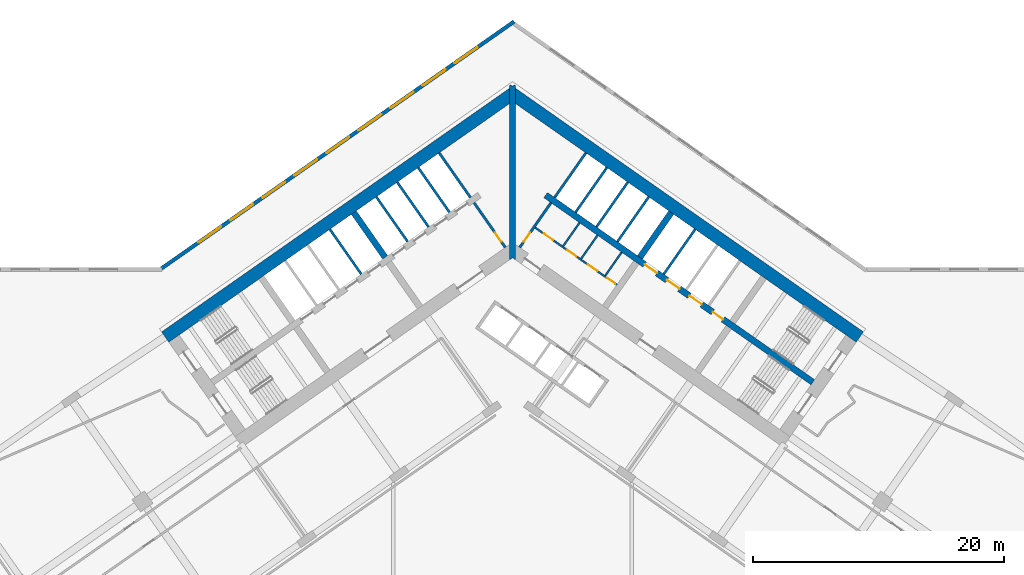
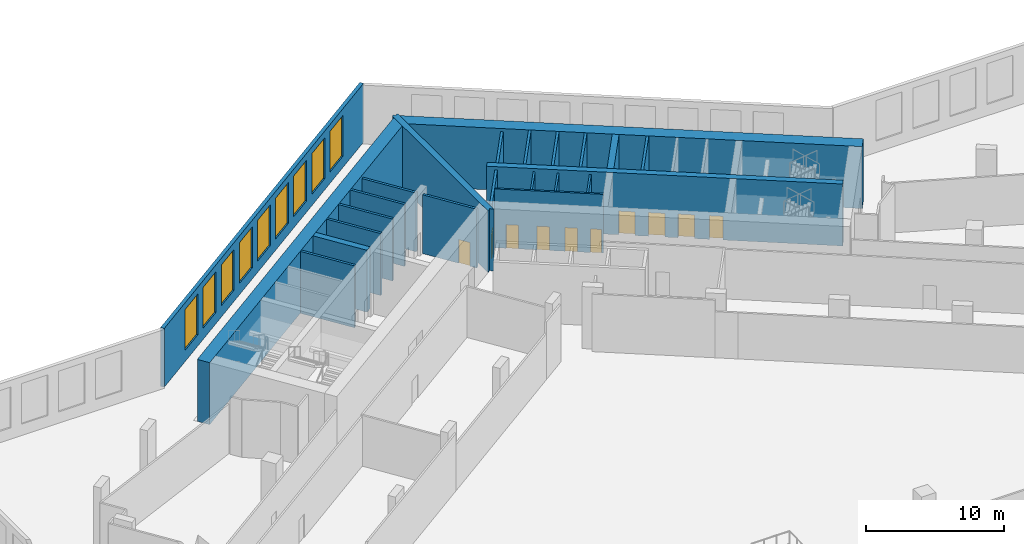
# One storey, part 9 of 15: 23 walls, 10 doors, 9 windows, 19 openings.
"""IFC4 building model written with IfcOpenShell, lengths in metres."""

from ifc_helpers import new_model, si_unit, direction, frame, frame_2d, origin, place, context, subcontext, project, spatial, polyline, rectangle, outline, extrude, material, layer, layer_set, type_object, element, fill, save


model = new_model("IFC4")

# Units and contexts
model_context = context("Model", 3, precision=1e-05, world=origin(), true_north=direction((0.0, 1.0)))
body_context = subcontext(model_context, "Body", "Model", "MODEL_VIEW")
ifc_project = project(units=[si_unit("LENGTHUNIT", "METRE"), si_unit("AREAUNIT", "SQUARE_METRE"), si_unit("VOLUMEUNIT", "CUBIC_METRE"), si_unit("PLANEANGLEUNIT", "RADIAN"), si_unit("MASSUNIT", "GRAM", prefix="KILO")], contexts=[model_context])

# Site, building, storey
site_placement = place(None, origin())
site = spatial("IfcSite", under=ifc_project, at=site_placement, CompositionType="ELEMENT")
building_placement = place(site_placement, origin())
building = spatial("IfcBuilding", under=site, at=building_placement, Name="Tel Ilan Convention Tower", CompositionType="ELEMENT")
storey_placement = place(building_placement, frame((0.0, 0.0, 43.0)))
storey = spatial("IfcBuildingStorey", under=building, at=storey_placement, Name="L06", CompositionType="ELEMENT", Elevation=43.0)

# Wall, openings, doors
ifc_material_1 = material(Name="Gypsum Plasterboard on Steel Stud", Category="steel")
ifc_layer_1 = layer(ifc_material_1, 0.14990234375)
ifc_layer_set_1 = layer_set([ifc_layer_1], Name="Core Room Partition Wall 150 mm EI 60")
wall_type_1 = type_object("IfcWallType", Name="Core Room Partition Wall 150 mm EI 60", PredefinedType="PARTITIONING", material=ifc_layer_set_1)
wall_1_placement = place(storey_placement, frame((1.802490234375, 1.179443359375, 0.0), z_axis=(0.0, 0.0, 1.0), x_axis=(0.819142461705, -0.573590121456, 0.0)))
wall_1 = element("IfcWall", 1, at=wall_1_placement, inside=storey, type_object=wall_type_1, Name="L06 core wall wc-h1", PredefinedType="PARTITIONING", context=body_context, shape_type="SweptSolid", body=[
    extrude(rectangle(XDim=7.949951171875, YDim=0.14990234375, at=frame_2d((3.97509765625, 0.0))), origin(), (0.0, 0.0, 1.0), 5.219970703125),
])
opening_1_placement = place(wall_1_placement, frame((0.85009765625, 0.0, 0.0)))
opening_1 = element("IfcOpeningElement", 2, at=opening_1_placement, cuts=wall_1, Name="Opening CD0911", PredefinedType="OPENING", context=body_context, shape_type="SweptSolid", body=[
    extrude(rectangle(XDim=0.89990234375, YDim=2.10009765625, at=frame_2d((0.449951171875, 1.050048828125))), frame((0.0, 0.0849609375, 0.0), z_axis=(0.0, -1.0, 0.0), x_axis=(1.0, 0.0, 0.0)), (0.0, 0.0, 1.0), 0.169921875),
])
opening_2_placement = place(wall_1_placement, frame((3.10009765625, 0.0, 0.0)))
opening_2 = element("IfcOpeningElement", 3, at=opening_2_placement, cuts=wall_1, Name="Opening CD0908", PredefinedType="OPENING", context=body_context, shape_type="SweptSolid", body=[
    extrude(rectangle(XDim=0.89990234375, YDim=2.10009765625, at=frame_2d((0.449951171875, 1.050048828125))), frame((0.0, 0.0849609375, 0.0), z_axis=(0.0, -1.0, 0.0), x_axis=(1.0, 0.0, 0.0)), (0.0, 0.0, 1.0), 0.169921875),
])
opening_3_placement = place(wall_1_placement, frame((5.14990234375, 0.0, 0.0)))
opening_3 = element("IfcOpeningElement", 4, at=opening_3_placement, cuts=wall_1, Name="Opening CD0910", PredefinedType="OPENING", context=body_context, shape_type="SweptSolid", body=[
    extrude(rectangle(XDim=0.89990234375, YDim=2.10009765625, at=frame_2d((0.449951171875, 1.050048828125))), frame((0.0, 0.0849609375, 0.0), z_axis=(0.0, -1.0, 0.0), x_axis=(1.0, 0.0, 0.0)), (0.0, 0.0, 1.0), 0.169921875),
])
opening_4_placement = place(wall_1_placement, frame((7.0, 0.0, 0.0)))
opening_4 = element("IfcOpeningElement", 5, at=opening_4_placement, cuts=wall_1, Name="Opening CD0909", PredefinedType="OPENING", context=body_context, shape_type="SweptSolid", body=[
    extrude(rectangle(XDim=0.800048828125, YDim=2.10009765625, at=frame_2d((0.39990234375, 1.050048828125))), frame((0.0, 0.0849609375, 0.0), z_axis=(0.0, -1.0, 0.0), x_axis=(1.0, 0.0, 0.0)), (0.0, 0.0, 1.0), 0.169921875),
])
ifc_material_2 = material(Name="Galvanised Steel Door Leaf", Category="steel")
door_type_1 = type_object("IfcDoorType", Name="Store Door 800 x 2100 FD60", OperationType="NOTDEFINED", PredefinedType="DOOR", material=ifc_material_2)
door_1_placement = place(opening_4_placement, origin())
door_1 = element("IfcDoor", 6, at=door_1_placement, inside=storey, type_object=door_type_1, Name="Cleaner's store door", OperationType="SINGLE_SWING_RIGHT", OverallHeight=2.10009765625, OverallWidth=0.800048828125, PredefinedType="DOOR", context=body_context, shape_type="SweptSolid", body=[
    extrude(rectangle(XDim=0.800048828125, YDim=2.10009765625, at=frame_2d((0.39990234375, 1.050048828125))), frame((0.0, 0.02490234375, 0.0), z_axis=(0.0, -1.0, 0.0), x_axis=(1.0, 0.0, 0.0)), (0.0, 0.0, 1.0), 0.050048828125),
])
fill(opening_4, door_1)
ifc_material_3 = material(Name="Laminated Timber Door Leaf", Category="wood")
door_type_2 = type_object("IfcDoorType", Name="Toilet Door 900 x 2100 FD30S", OperationType="NOTDEFINED", PredefinedType="DOOR", material=ifc_material_3)
door_2_placement = place(opening_1_placement, origin())
door_2 = element("IfcDoor", 7, at=door_2_placement, inside=storey, type_object=door_type_2, Name="Women's WC door", OperationType="SINGLE_SWING_RIGHT", OverallHeight=2.10009765625, OverallWidth=0.89990234375, PredefinedType="DOOR", context=body_context, shape_type="SweptSolid", body=[
    extrude(rectangle(XDim=0.89990234375, YDim=2.10009765625, at=frame_2d((0.449951171875, 1.050048828125))), frame((0.0, 0.02490234375, 0.0), z_axis=(0.0, -1.0, 0.0), x_axis=(1.0, 0.0, 0.0)), (0.0, 0.0, 1.0), 0.050048828125),
])
fill(opening_1, door_2)
door_3_placement = place(opening_2_placement, origin())
door_3 = element("IfcDoor", 8, at=door_3_placement, inside=storey, type_object=door_type_2, Name="Accessible WC door", OperationType="SINGLE_SWING_RIGHT", OverallHeight=2.10009765625, OverallWidth=0.89990234375, PredefinedType="DOOR", context=body_context, shape_type="SweptSolid", body=[
    extrude(rectangle(XDim=0.89990234375, YDim=2.10009765625, at=frame_2d((0.449951171875, 1.050048828125))), frame((0.0, 0.02490234375, 0.0), z_axis=(0.0, -1.0, 0.0), x_axis=(1.0, 0.0, 0.0)), (0.0, 0.0, 1.0), 0.050048828125),
])
fill(opening_2, door_3)
door_4_placement = place(opening_3_placement, origin())
door_4 = element("IfcDoor", 9, at=door_4_placement, inside=storey, type_object=door_type_2, Name="Men's WC door", OperationType="SINGLE_SWING_RIGHT", OverallHeight=2.10009765625, OverallWidth=0.89990234375, PredefinedType="DOOR", context=body_context, shape_type="SweptSolid", body=[
    extrude(rectangle(XDim=0.89990234375, YDim=2.10009765625, at=frame_2d((0.449951171875, 1.050048828125))), frame((0.0, 0.02490234375, 0.0), z_axis=(0.0, -1.0, 0.0), x_axis=(1.0, 0.0, 0.0)), (0.0, 0.0, 1.0), 0.050048828125),
])
fill(opening_3, door_4)

# Walls
for number, where, z_axis, x_axis, name in (
    (10, (4.03662109375, -0.29345703125, 0.0), (0.0, 0.0, 1.0), (0.573599181114, 0.819136117764, 0.0), "L06 core wall wc-v0"),
    (11, (5.47021484375, -1.297119140625, 0.0), (0.0, 0.0, 1.0), (0.573599181114, 0.819136117764, 0.0), "L06 core wall wc-v1"),
    (12, (7.395263671875, -2.64501953125, 0.0), (0.0, 0.0, 1.0), (0.573599181114, 0.819136117764, 0.0), "L06 core wall wc-v2"),
):
    element("IfcWall", number, at=place(storey_placement, frame(where, z_axis=z_axis, x_axis=x_axis)), inside=storey, type_object=wall_type_1, Name=name, PredefinedType="PARTITIONING", context=body_context, shape_type="SweptSolid", body=[
        extrude(rectangle(XDim=2.27490234375, YDim=0.14990234375, at=frame_2d((1.137451171875, 0.0))), origin(), (0.0, 0.0, 1.0), 5.219970703125),
    ])

# Wall, opening, door
ifc_material_4 = material(Name="Concrete C30/37", Category="concrete")
ifc_layer_2 = layer(ifc_material_4, 0.199951171875)
ifc_layer_set_2 = layer_set([ifc_layer_2], Name="Core Service Room Wall 200 mm C30/37")
wall_type_2 = type_object("IfcWallType", Name="Core Service Room Wall 200 mm C30/37", PredefinedType="SOLIDWALL", material=ifc_layer_set_2)
wall_2_placement = place(storey_placement, frame((-0.573486328125, -0.401611328125, 0.0), z_axis=(0.0, 0.0, 1.0), x_axis=(-0.57356780395, 0.819158088694, 0.0)))
wall_2 = element("IfcWall", 13, at=wall_2_placement, inside=storey, type_object=wall_type_2, Name="L06 core wall apex-W", PredefinedType="SOLIDWALL", context=body_context, shape_type="SweptSolid", body=[
    extrude(rectangle(XDim=4.35009765625, YDim=0.199951171875, at=frame_2d((2.175048828125, 0.0))), origin(), (0.0, 0.0, 1.0), 5.219970703125),
])
opening_5_placement = place(wall_2_placement, frame((0.550048828125, 0.0, 0.0)))
opening_5 = element("IfcOpeningElement", 14, at=opening_5_placement, cuts=wall_2, Name="Opening CD0902", PredefinedType="OPENING", context=body_context, shape_type="SweptSolid", body=[
    extrude(rectangle(XDim=0.89990234375, YDim=2.10009765625, at=frame_2d((0.449951171875, 1.050048828125))), frame((0.0, 0.10986328125, 0.0), z_axis=(0.0, -1.0, 0.0), x_axis=(1.0, 0.0, 0.0)), (0.0, 0.0, 1.0), 0.219970703125),
])
ifc_material_5 = material(Name="Galvanised Steel Door Leaf", Category="steel")
door_type_3 = type_object("IfcDoorType", Name="Service Room Door 900 x 2100 FD60", OperationType="NOTDEFINED", PredefinedType="DOOR", material=ifc_material_5)
door_5_placement = place(opening_5_placement, origin())
door_5 = element("IfcDoor", 15, at=door_5_placement, inside=storey, type_object=door_type_3, Name="Telecom Room door", OperationType="SINGLE_SWING_RIGHT", OverallHeight=2.10009765625, OverallWidth=0.89990234375, PredefinedType="DOOR", context=body_context, shape_type="SweptSolid", body=[
    extrude(rectangle(XDim=0.89990234375, YDim=2.10009765625, at=frame_2d((0.449951171875, 1.050048828125))), frame((0.0, 0.02490234375, 0.0), z_axis=(0.0, -1.0, 0.0), x_axis=(1.0, 0.0, 0.0)), (0.0, 0.0, 1.0), 0.050048828125),
])
fill(opening_5, door_5)

# Wall
wall_3_placement = place(storey_placement, frame((-3.355224609375, 3.5712890625, 0.0), z_axis=(0.0, 0.0, 1.0), x_axis=(-0.57356780395, 0.819158088694, 0.0)))
element("IfcWall", 16, at=wall_3_placement, inside=storey, type_object=wall_type_2, Name="L06 core wall apex-W-b", PredefinedType="SOLIDWALL", context=body_context, shape_type="SweptSolid", body=[
    extrude(rectangle(XDim=4.35009765625, YDim=0.199951171875, at=frame_2d((2.175048828125, 0.0))), origin(), (0.0, 0.0, 1.0), 5.219970703125),
])

# Wall, opening, door
wall_4_placement = place(storey_placement, frame((0.573486328125, -0.401611328125, 0.0), z_axis=(0.0, 0.0, 1.0), x_axis=(0.57356780395, 0.819158088694, 0.0)))
wall_4 = element("IfcWall", 17, at=wall_4_placement, inside=storey, type_object=wall_type_2, Name="L06 core wall apex-E", PredefinedType="SOLIDWALL", context=body_context, shape_type="SweptSolid", body=[
    extrude(rectangle(XDim=4.35009765625, YDim=0.199951171875, at=frame_2d((2.175048828125, 0.0))), origin(), (0.0, 0.0, 1.0), 5.219970703125),
])
opening_6_placement = place(wall_4_placement, frame((0.550048828125, 0.0, 0.0)))
opening_6 = element("IfcOpeningElement", 18, at=opening_6_placement, cuts=wall_4, Name="Opening CD0901", PredefinedType="OPENING", context=body_context, shape_type="SweptSolid", body=[
    extrude(rectangle(XDim=0.89990234375, YDim=2.10009765625, at=frame_2d((0.449951171875, 1.050048828125))), frame((0.0, 0.10986328125, 0.0), z_axis=(0.0, -1.0, 0.0), x_axis=(1.0, 0.0, 0.0)), (0.0, 0.0, 1.0), 0.219970703125),
])
door_6_placement = place(opening_6_placement, origin())
door_6 = element("IfcDoor", 19, at=door_6_placement, inside=storey, type_object=door_type_3, Name="Data Room door", OperationType="SINGLE_SWING_RIGHT", OverallHeight=2.10009765625, OverallWidth=0.89990234375, PredefinedType="DOOR", context=body_context, shape_type="SweptSolid", body=[
    extrude(rectangle(XDim=0.89990234375, YDim=2.10009765625, at=frame_2d((0.449951171875, 1.050048828125))), frame((0.0, 0.02490234375, 0.0), z_axis=(0.0, -1.0, 0.0), x_axis=(1.0, 0.0, 0.0)), (0.0, 0.0, 1.0), 0.050048828125),
])
fill(opening_6, door_6)

# Walls
wall_5_placement = place(storey_placement, frame((3.355224609375, 3.5712890625, 0.0), z_axis=(0.0, 0.0, 1.0), x_axis=(0.57356780395, 0.819158088694, 0.0)))
element("IfcWall", 20, at=wall_5_placement, inside=storey, type_object=wall_type_2, Name="L06 core wall apex-E-b", PredefinedType="SOLIDWALL", context=body_context, shape_type="SweptSolid", body=[
    extrude(rectangle(XDim=4.35009765625, YDim=0.199951171875, at=frame_2d((2.175048828125, 0.0))), origin(), (0.0, 0.0, 1.0), 5.219970703125),
])
ifc_material_6 = material(Name="Concrete C60/75", Category="concrete")
ifc_layer_3 = layer(ifc_material_6, 1.0)
ifc_layer_set_3 = layer_set([ifc_layer_3], Name="Core Shear Wall 1000 mm C60/75")
wall_type_3 = type_object("IfcWallType", Name="Core Shear Wall 1000 mm C60/75", PredefinedType="SHEAR", material=ifc_layer_set_3)
wall_6_placement = place(storey_placement, frame((0.036865234375, 11.8671875, 0.0), z_axis=(0.0, 0.0, 1.0), x_axis=(-0.819155306259, -0.573571777746, 0.0)))
element("IfcWall", 21, at=wall_6_placement, inside=storey, type_object=wall_type_3, Name="L06 core wall W-back", PredefinedType="SHEAR", context=body_context, shape_type="SweptSolid", body=[
    extrude(outline(polyline([(33.8369140625, 0.5), (0.7001953125, 0.499755859375), (0.0, -0.5), (33.8369140625, -0.5), (33.8369140625, 0.5)])), origin(), (0.0, 0.0, 1.0), 5.5),
])
wall_7_placement = place(storey_placement, frame((-0.036865234375, 11.8671875, 0.0), z_axis=(0.0, 0.0, 1.0), x_axis=(0.819155306259, -0.573571777746, 0.0)))
element("IfcWall", 22, at=wall_7_placement, inside=storey, type_object=wall_type_3, Name="L06 core wall E-back", PredefinedType="SHEAR", context=body_context, shape_type="SweptSolid", body=[
    extrude(outline(polyline([(33.8369140625, 0.5), (0.0, 0.5), (0.7001953125, -0.499755859375), (33.8369140625, -0.5), (33.8369140625, 0.5)])), origin(), (0.0, 0.0, 1.0), 5.5),
])
ifc_material_7 = material(Name="Concrete C60/75", Category="concrete")
ifc_layer_4 = layer(ifc_material_7, 0.5)
ifc_layer_set_4 = layer_set([ifc_layer_4], Name="Core Shear Wall 500 mm C60/75")
wall_type_4 = type_object("IfcWallType", Name="Core Shear Wall 500 mm C60/75", PredefinedType="SHEAR", material=ifc_layer_set_4)
for number, where, z_axis, x_axis, name in (
    (23, (-10.154296875, -1.189208984375, 0.0), (0.0, 0.0, 1.0), (-0.573594173421, 0.819139624372, 0.0), "L06 core wall W-cross1-2"),
    (24, (10.154296875, -1.189208984375, 0.0), (0.0, 0.0, 1.0), (0.573594173421, 0.819139624372, 0.0), "L06 core wall E-cross1-2"),
):
    element("IfcWall", number, at=place(storey_placement, frame(where, z_axis=z_axis, x_axis=x_axis)), inside=storey, type_object=wall_type_4, Name=name, PredefinedType="SHEAR", context=body_context, shape_type="SweptSolid", body=[
        extrude(outline(polyline([(4.349853515625, -0.25), (4.349853515625, 0.25), (-0.000244140625, 0.25), (-0.000244140625, -0.25), (4.349853515625, -0.25)])), origin(), (0.0, 0.0, 1.0), 5.5),
    ])

# Wall, openings, doors
wall_8_placement = place(storey_placement, frame((2.638427734375, 3.76806640625, 0.0), z_axis=(0.0, 0.0, 1.0), x_axis=(0.819148977158, -0.573580816643, 0.0)))
wall_8 = element("IfcWall", 25, at=wall_8_placement, inside=storey, type_object=wall_type_4, Name="L06 core wall E-spine", PredefinedType="SHEAR", context=body_context, shape_type="SweptSolid", body=[
    extrude(outline(polyline([(0.0, 0.25), (0.0, -0.25), (26.0, -0.249755859375), (26.0, 0.250244140625), (0.0, 0.25)])), origin(), (0.0, 0.0, 1.0), 5.5),
])
opening_7_placement = place(wall_8_placement, frame((9.637451171875, 0.0, 0.0)))
opening_7 = element("IfcOpeningElement", 26, at=opening_7_placement, cuts=wall_8, Name="Opening LD0901", PredefinedType="OPENING", context=body_context, shape_type="SweptSolid", body=[
    extrude(rectangle(XDim=1.199951171875, YDim=2.10009765625, at=frame_2d((0.60009765625, 1.050048828125))), frame((0.0, 0.260009765625, 0.0), z_axis=(0.0, -1.0, 0.0), x_axis=(1.0, 0.0, 0.0)), (0.0, 0.0, 1.0), 0.52001953125),
])
opening_8_placement = place(wall_8_placement, frame((11.8125, 0.0, 0.0)))
opening_8 = element("IfcOpeningElement", 27, at=opening_8_placement, cuts=wall_8, Name="Opening LD0902", PredefinedType="OPENING", context=body_context, shape_type="SweptSolid", body=[
    extrude(rectangle(XDim=1.199951171875, YDim=2.10009765625, at=frame_2d((0.60009765625, 1.050048828125))), frame((0.0, 0.260009765625, 0.0), z_axis=(0.0, -1.0, 0.0), x_axis=(1.0, 0.0, 0.0)), (0.0, 0.0, 1.0), 0.52001953125),
])
opening_9_placement = place(wall_8_placement, frame((13.987548828125, 0.0, 0.0)))
opening_9 = element("IfcOpeningElement", 28, at=opening_9_placement, cuts=wall_8, Name="Opening LD0903", PredefinedType="OPENING", context=body_context, shape_type="SweptSolid", body=[
    extrude(rectangle(XDim=1.199951171875, YDim=2.10009765625, at=frame_2d((0.60009765625, 1.050048828125))), frame((0.0, 0.260009765625, 0.0), z_axis=(0.0, -1.0, 0.0), x_axis=(1.0, 0.0, 0.0)), (0.0, 0.0, 1.0), 0.52001953125),
])
opening_10_placement = place(wall_8_placement, frame((16.262451171875, 0.0, 0.0)))
opening_10 = element("IfcOpeningElement", 29, at=opening_10_placement, cuts=wall_8, Name="Opening CD0907", PredefinedType="OPENING", context=body_context, shape_type="SweptSolid", body=[
    extrude(rectangle(XDim=1.0, YDim=2.10009765625, at=frame_2d((0.5, 1.050048828125))), frame((0.0, 0.260009765625, 0.0), z_axis=(0.0, -1.0, 0.0), x_axis=(1.0, 0.0, 0.0)), (0.0, 0.0, 1.0), 0.52001953125),
])
ifc_material_8 = material(Name="Stainless Steel Sliding Door Leaf", Category="steel")
door_type_4 = type_object("IfcDoorType", Name="Lift Landing Door 1200 x 2100 FD120", OperationType="NOTDEFINED", PredefinedType="DOOR", material=ifc_material_8)
door_7_placement = place(opening_7_placement, origin())
door_7 = element("IfcDoor", 30, at=door_7_placement, inside=storey, type_object=door_type_4, Name="Lift FL1 landing door", OperationType="SLIDING_TO_LEFT", OverallHeight=2.10009765625, OverallWidth=1.199951171875, PredefinedType="DOOR", context=body_context, shape_type="SweptSolid", body=[
    extrude(rectangle(XDim=1.199951171875, YDim=2.10009765625, at=frame_2d((0.60009765625, 1.050048828125))), frame((0.0, 0.02490234375, 0.0), z_axis=(0.0, -1.0, 0.0), x_axis=(1.0, 0.0, 0.0)), (0.0, 0.0, 1.0), 0.050048828125),
])
fill(opening_7, door_7)
door_8_placement = place(opening_8_placement, origin())
door_8 = element("IfcDoor", 31, at=door_8_placement, inside=storey, type_object=door_type_4, Name="Lift FL2 landing door", OperationType="SLIDING_TO_RIGHT", OverallHeight=2.10009765625, OverallWidth=1.199951171875, PredefinedType="DOOR", context=body_context, shape_type="SweptSolid", body=[
    extrude(rectangle(XDim=1.199951171875, YDim=2.10009765625, at=frame_2d((0.60009765625, 1.050048828125))), frame((0.0, 0.02490234375, 0.0), z_axis=(0.0, -1.0, 0.0), x_axis=(1.0, 0.0, 0.0)), (0.0, 0.0, 1.0), 0.050048828125),
])
fill(opening_8, door_8)
door_9_placement = place(opening_9_placement, origin())
door_9 = element("IfcDoor", 32, at=door_9_placement, inside=storey, type_object=door_type_4, Name="Lift FL3 landing door", OperationType="SLIDING_TO_LEFT", OverallHeight=2.10009765625, OverallWidth=1.199951171875, PredefinedType="DOOR", context=body_context, shape_type="SweptSolid", body=[
    extrude(rectangle(XDim=1.199951171875, YDim=2.10009765625, at=frame_2d((0.60009765625, 1.050048828125))), frame((0.0, 0.02490234375, 0.0), z_axis=(0.0, -1.0, 0.0), x_axis=(1.0, 0.0, 0.0)), (0.0, 0.0, 1.0), 0.050048828125),
])
fill(opening_9, door_9)
ifc_material_9 = material(Name="Galvanised Steel Door Leaf", Category="steel")
door_type_5 = type_object("IfcDoorType", Name="Service Room Door 1000 x 2100 FD60", OperationType="NOTDEFINED", PredefinedType="DOOR", material=ifc_material_9)
door_10_placement = place(opening_10_placement, origin())
door_10 = element("IfcDoor", 33, at=door_10_placement, inside=storey, type_object=door_type_5, Name="Plant Room door", OperationType="SINGLE_SWING_RIGHT", OverallHeight=2.10009765625, OverallWidth=1.0, PredefinedType="DOOR", context=body_context, shape_type="SweptSolid", body=[
    extrude(rectangle(XDim=1.0, YDim=2.10009765625, at=frame_2d((0.5, 1.050048828125))), frame((0.0, 0.02490234375, 0.0), z_axis=(0.0, -1.0, 0.0), x_axis=(1.0, 0.0, 0.0)), (0.0, 0.0, 1.0), 0.050048828125),
])
fill(opening_10, door_10)

# Walls
wall_9_placement = place(storey_placement, frame((0.0, -1.395751953125, 0.0), z_axis=(0.0, 0.0, 1.0), x_axis=(0.0, 1.0, 0.0)))
element("IfcWall", 34, at=wall_9_placement, inside=storey, type_object=wall_type_4, Name="L06 core wall K-central", PredefinedType="SHEAR", context=body_context, shape_type="SweptSolid", body=[
    extrude(outline(polyline([(0.0, -0.25), (0.175048828125, -0.25), (1.220703125, -0.25), (12.451904296875, -0.25), (13.84765625, -0.25), (13.85693359375, -0.25), (13.96826171875, -0.172119140625), (13.84765625, 0.0), (13.96826171875, 0.172119140625), (13.85693359375, 0.25), (13.84765625, 0.25), (12.451904296875, 0.25), (1.220703125, 0.25), (0.175048828125, 0.25), (0.0, 0.25), (0.175048828125, 0.0), (0.0, -0.25)])), origin(), (0.0, 0.0, 1.0), 5.5),
])
ifc_material_10 = material(Name="Concrete C30/37", Category="concrete")
ifc_layer_5 = layer(ifc_material_10, 0.199951171875)
ifc_layer_set_5 = layer_set([ifc_layer_5], Name="Lift Shaft Wall 200 mm C30/37")
wall_type_5 = type_object("IfcWallType", Name="Lift Shaft Wall 200 mm C30/37", PredefinedType="SOLIDWALL", material=ifc_layer_set_5)
wall_10_placement = place(storey_placement, frame((-5.0244140625, 2.402587890625, 0.0), z_axis=(0.0, 0.0, 1.0), x_axis=(-0.573530143085, 0.819184457233, 0.0)))
element("IfcWall", 35, at=wall_10_placement, inside=storey, type_object=wall_type_5, Name="L06 core wall bank-W1-p0", PredefinedType="SOLIDWALL", context=body_context, shape_type="SweptSolid", body=[
    extrude(rectangle(XDim=4.35009765625, YDim=0.199951171875, at=frame_2d((2.175048828125, 0.0))), origin(), (0.0, 0.0, 1.0), 5.5),
])
for number, where, z_axis, x_axis, name in (
    (36, (-6.693359375, 1.234130859375, 0.0), (0.0, 0.0, 1.0), (-0.573594173421, 0.819139624372, 0.0), "L06 core wall bank-W1-p1"),
    (37, (-8.3623046875, 0.0654296875, 0.0), (0.0, 0.0, 1.0), (-0.573594173421, 0.819139624372, 0.0), "L06 core wall bank-W1-p2"),
    (38, (-12.05859375, -2.52294921875, 0.0), (0.0, 0.0, 1.0), (-0.573594173421, 0.819139624372, 0.0), "L06 core wall bank-W2-p0"),
):
    element("IfcWall", number, at=place(storey_placement, frame(where, z_axis=z_axis, x_axis=x_axis)), inside=storey, type_object=wall_type_5, Name=name, PredefinedType="SOLIDWALL", context=body_context, shape_type="SweptSolid", body=[
        extrude(rectangle(XDim=4.349853515625, YDim=0.199951171875, at=frame_2d((2.1748046875, 0.0))), origin(), (0.0, 0.0, 1.0), 5.5),
    ])
wall_11_placement = place(storey_placement, frame((5.0244140625, 2.402587890625, 0.0), z_axis=(0.0, 0.0, 1.0), x_axis=(0.573530143085, 0.819184457233, 0.0)))
element("IfcWall", 39, at=wall_11_placement, inside=storey, type_object=wall_type_5, Name="L06 core wall bank-E1-p0", PredefinedType="SOLIDWALL", context=body_context, shape_type="SweptSolid", body=[
    extrude(rectangle(XDim=4.35009765625, YDim=0.199951171875, at=frame_2d((2.175048828125, 0.0))), origin(), (0.0, 0.0, 1.0), 5.5),
])
for number, where, z_axis, x_axis, name in (
    (40, (6.693359375, 1.234130859375, 0.0), (0.0, 0.0, 1.0), (0.573594173421, 0.819139624372, 0.0), "L06 core wall bank-E1-p1"),
    (41, (8.3623046875, 0.0654296875, 0.0), (0.0, 0.0, 1.0), (0.573594173421, 0.819139624372, 0.0), "L06 core wall bank-E1-p2"),
    (42, (12.05859375, -2.52294921875, 0.0), (0.0, 0.0, 1.0), (0.573594173421, 0.819139624372, 0.0), "L06 core wall bank-E2-p0"),
):
    element("IfcWall", number, at=place(storey_placement, frame(where, z_axis=z_axis, x_axis=x_axis)), inside=storey, type_object=wall_type_5, Name=name, PredefinedType="SOLIDWALL", context=body_context, shape_type="SweptSolid", body=[
        extrude(rectangle(XDim=4.349853515625, YDim=0.199951171875, at=frame_2d((2.1748046875, 0.0))), origin(), (0.0, 0.0, 1.0), 5.5),
    ])

# Wall, openings, windows
ifc_material_11 = material(Name="Bronze aluminium cladding panel on insulated steel frame", Category="steel")
ifc_layer_6 = layer(ifc_material_11, 0.300048828125)
ifc_layer_set_6 = layer_set([ifc_layer_6], Name="PODIUM CLADDING WALL 300")
wall_type_6 = type_object("IfcWallType", Name="PODIUM CLADDING WALL 300", PredefinedType="SOLIDWALL", material=ifc_layer_set_6)
wall_12_placement = place(storey_placement, frame((-27.966064453125, -2.06396484375, 0.0), z_axis=(0.0, 0.0, 1.0), x_axis=(0.819149627982, 0.57357988718, 0.0)))
wall_12 = element("IfcWall", 43, at=wall_12_placement, inside=storey, type_object=wall_type_6, Name="Podium cladding wall", PredefinedType="SOLIDWALL", context=body_context, shape_type="SweptSolid", body=[
    extrude(rectangle(XDim=34.290283203125, YDim=0.300048828125, at=frame_2d((17.14501953125, 0.0))), origin(), (0.0, 0.0, 1.0), 5.219970703125),
])
opening_11_placement = place(wall_12_placement, frame((3.5673828125, 0.0, 1.0)))
opening_11 = element("IfcOpeningElement", 44, at=opening_11_placement, cuts=wall_12, Name="Opening W-09.036", PredefinedType="OPENING", context=body_context, shape_type="SweptSolid", body=[
    extrude(rectangle(XDim=2.21728515625, YDim=3.6201171875, at=frame_2d((1.108642578125, 1.81005859375))), frame((0.0, 0.159912109375, 0.0), z_axis=(0.0, -1.0, 0.0), x_axis=(1.0, 0.0, 0.0)), (0.0, 0.0, 1.0), 0.320068359375),
])
opening_12_placement = place(wall_12_placement, frame((6.6845703125, 0.0, 1.0)))
opening_12 = element("IfcOpeningElement", 45, at=opening_12_placement, cuts=wall_12, Name="Opening W-09.037", PredefinedType="OPENING", context=body_context, shape_type="SweptSolid", body=[
    extrude(rectangle(XDim=2.21728515625, YDim=3.6201171875, at=frame_2d((1.108642578125, 1.81005859375))), frame((0.0, 0.159912109375, 0.0), z_axis=(0.0, -1.0, 0.0), x_axis=(1.0, 0.0, 0.0)), (0.0, 0.0, 1.0), 0.320068359375),
])
opening_13_placement = place(wall_12_placement, frame((9.802001953125, 0.0, 1.0)))
opening_13 = element("IfcOpeningElement", 46, at=opening_13_placement, cuts=wall_12, Name="Opening W-09.038", PredefinedType="OPENING", context=body_context, shape_type="SweptSolid", body=[
    extrude(rectangle(XDim=2.21728515625, YDim=3.6201171875, at=frame_2d((1.108642578125, 1.81005859375))), frame((0.0, 0.159912109375, 0.0), z_axis=(0.0, -1.0, 0.0), x_axis=(1.0, 0.0, 0.0)), (0.0, 0.0, 1.0), 0.320068359375),
])
opening_14_placement = place(wall_12_placement, frame((12.919189453125, 0.0, 1.0)))
opening_14 = element("IfcOpeningElement", 47, at=opening_14_placement, cuts=wall_12, Name="Opening W-09.039", PredefinedType="OPENING", context=body_context, shape_type="SweptSolid", body=[
    extrude(rectangle(XDim=2.21728515625, YDim=3.6201171875, at=frame_2d((1.108642578125, 1.81005859375))), frame((0.0, 0.159912109375, 0.0), z_axis=(0.0, -1.0, 0.0), x_axis=(1.0, 0.0, 0.0)), (0.0, 0.0, 1.0), 0.320068359375),
])
opening_15_placement = place(wall_12_placement, frame((16.03662109375, 0.0, 1.0)))
opening_15 = element("IfcOpeningElement", 48, at=opening_15_placement, cuts=wall_12, Name="Opening W-09.040", PredefinedType="OPENING", context=body_context, shape_type="SweptSolid", body=[
    extrude(rectangle(XDim=2.21728515625, YDim=3.6201171875, at=frame_2d((1.108642578125, 1.81005859375))), frame((0.0, 0.159912109375, 0.0), z_axis=(0.0, -1.0, 0.0), x_axis=(1.0, 0.0, 0.0)), (0.0, 0.0, 1.0), 0.320068359375),
])
opening_16_placement = place(wall_12_placement, frame((19.15380859375, 0.0, 1.0)))
opening_16 = element("IfcOpeningElement", 49, at=opening_16_placement, cuts=wall_12, Name="Opening W-09.041", PredefinedType="OPENING", context=body_context, shape_type="SweptSolid", body=[
    extrude(rectangle(XDim=2.21728515625, YDim=3.6201171875, at=frame_2d((1.108642578125, 1.81005859375))), frame((0.0, 0.159912109375, 0.0), z_axis=(0.0, -1.0, 0.0), x_axis=(1.0, 0.0, 0.0)), (0.0, 0.0, 1.0), 0.320068359375),
])
opening_17_placement = place(wall_12_placement, frame((22.27099609375, 0.0, 1.0)))
opening_17 = element("IfcOpeningElement", 50, at=opening_17_placement, cuts=wall_12, Name="Opening W-09.042", PredefinedType="OPENING", context=body_context, shape_type="SweptSolid", body=[
    extrude(rectangle(XDim=2.21728515625, YDim=3.6201171875, at=frame_2d((1.108642578125, 1.81005859375))), frame((0.0, 0.159912109375, 0.0), z_axis=(0.0, -1.0, 0.0), x_axis=(1.0, 0.0, 0.0)), (0.0, 0.0, 1.0), 0.320068359375),
])
opening_18_placement = place(wall_12_placement, frame((25.388427734375, 0.0, 1.0)))
opening_18 = element("IfcOpeningElement", 51, at=opening_18_placement, cuts=wall_12, Name="Opening W-09.043", PredefinedType="OPENING", context=body_context, shape_type="SweptSolid", body=[
    extrude(rectangle(XDim=2.21728515625, YDim=3.6201171875, at=frame_2d((1.108642578125, 1.81005859375))), frame((0.0, 0.159912109375, 0.0), z_axis=(0.0, -1.0, 0.0), x_axis=(1.0, 0.0, 0.0)), (0.0, 0.0, 1.0), 0.320068359375),
])
opening_19_placement = place(wall_12_placement, frame((28.505615234375, 0.0, 1.0)))
opening_19 = element("IfcOpeningElement", 52, at=opening_19_placement, cuts=wall_12, Name="Opening W-09.044", PredefinedType="OPENING", context=body_context, shape_type="SweptSolid", body=[
    extrude(rectangle(XDim=2.21728515625, YDim=3.6201171875, at=frame_2d((1.108642578125, 1.81005859375))), frame((0.0, 0.159912109375, 0.0), z_axis=(0.0, -1.0, 0.0), x_axis=(1.0, 0.0, 0.0)), (0.0, 0.0, 1.0), 0.320068359375),
])
ifc_material_12 = material(Name="Aluminium framed glazing, bronze anodised, tinted glass", Category="aluminium")
window_type = type_object("IfcWindowType", Name="PODIUM WINDOW 2217x3620", PartitioningType="SINGLE_PANEL", PredefinedType="WINDOW", material=ifc_material_12)
window_1_placement = place(opening_11_placement, origin())
window_1 = element("IfcWindow", 53, at=window_1_placement, inside=storey, type_object=window_type, Name="Podium window", OverallHeight=3.6201171875, OverallWidth=2.21728515625, PartitioningType="SINGLE_PANEL", PredefinedType="WINDOW", context=body_context, shape_type="SweptSolid", body=[
    extrude(rectangle(XDim=2.21728515625, YDim=3.6201171875, at=frame_2d((1.108642578125, 1.81005859375))), frame((0.0, 0.030029296875, 0.0), z_axis=(0.0, -1.0, 0.0), x_axis=(1.0, 0.0, 0.0)), (0.0, 0.0, 1.0), 0.06005859375),
])
fill(opening_11, window_1)
window_2_placement = place(opening_12_placement, origin())
window_2 = element("IfcWindow", 54, at=window_2_placement, inside=storey, type_object=window_type, Name="Podium window", OverallHeight=3.6201171875, OverallWidth=2.21728515625, PartitioningType="SINGLE_PANEL", PredefinedType="WINDOW", context=body_context, shape_type="SweptSolid", body=[
    extrude(rectangle(XDim=2.21728515625, YDim=3.6201171875, at=frame_2d((1.108642578125, 1.81005859375))), frame((0.0, 0.030029296875, 0.0), z_axis=(0.0, -1.0, 0.0), x_axis=(1.0, 0.0, 0.0)), (0.0, 0.0, 1.0), 0.06005859375),
])
fill(opening_12, window_2)
window_3_placement = place(opening_13_placement, origin())
window_3 = element("IfcWindow", 55, at=window_3_placement, inside=storey, type_object=window_type, Name="Podium window", OverallHeight=3.6201171875, OverallWidth=2.21728515625, PartitioningType="SINGLE_PANEL", PredefinedType="WINDOW", context=body_context, shape_type="SweptSolid", body=[
    extrude(rectangle(XDim=2.21728515625, YDim=3.6201171875, at=frame_2d((1.108642578125, 1.81005859375))), frame((0.0, 0.030029296875, 0.0), z_axis=(0.0, -1.0, 0.0), x_axis=(1.0, 0.0, 0.0)), (0.0, 0.0, 1.0), 0.06005859375),
])
fill(opening_13, window_3)
window_4_placement = place(opening_14_placement, origin())
window_4 = element("IfcWindow", 56, at=window_4_placement, inside=storey, type_object=window_type, Name="Podium window", OverallHeight=3.6201171875, OverallWidth=2.21728515625, PartitioningType="SINGLE_PANEL", PredefinedType="WINDOW", context=body_context, shape_type="SweptSolid", body=[
    extrude(rectangle(XDim=2.21728515625, YDim=3.6201171875, at=frame_2d((1.108642578125, 1.81005859375))), frame((0.0, 0.030029296875, 0.0), z_axis=(0.0, -1.0, 0.0), x_axis=(1.0, 0.0, 0.0)), (0.0, 0.0, 1.0), 0.06005859375),
])
fill(opening_14, window_4)
window_5_placement = place(opening_15_placement, origin())
window_5 = element("IfcWindow", 57, at=window_5_placement, inside=storey, type_object=window_type, Name="Podium window", OverallHeight=3.6201171875, OverallWidth=2.21728515625, PartitioningType="SINGLE_PANEL", PredefinedType="WINDOW", context=body_context, shape_type="SweptSolid", body=[
    extrude(rectangle(XDim=2.21728515625, YDim=3.6201171875, at=frame_2d((1.108642578125, 1.81005859375))), frame((0.0, 0.030029296875, 0.0), z_axis=(0.0, -1.0, 0.0), x_axis=(1.0, 0.0, 0.0)), (0.0, 0.0, 1.0), 0.06005859375),
])
fill(opening_15, window_5)
window_6_placement = place(opening_16_placement, origin())
window_6 = element("IfcWindow", 58, at=window_6_placement, inside=storey, type_object=window_type, Name="Podium window", OverallHeight=3.6201171875, OverallWidth=2.21728515625, PartitioningType="SINGLE_PANEL", PredefinedType="WINDOW", context=body_context, shape_type="SweptSolid", body=[
    extrude(rectangle(XDim=2.21728515625, YDim=3.6201171875, at=frame_2d((1.108642578125, 1.81005859375))), frame((0.0, 0.030029296875, 0.0), z_axis=(0.0, -1.0, 0.0), x_axis=(1.0, 0.0, 0.0)), (0.0, 0.0, 1.0), 0.06005859375),
])
fill(opening_16, window_6)
window_7_placement = place(opening_17_placement, origin())
window_7 = element("IfcWindow", 59, at=window_7_placement, inside=storey, type_object=window_type, Name="Podium window", OverallHeight=3.6201171875, OverallWidth=2.21728515625, PartitioningType="SINGLE_PANEL", PredefinedType="WINDOW", context=body_context, shape_type="SweptSolid", body=[
    extrude(rectangle(XDim=2.21728515625, YDim=3.6201171875, at=frame_2d((1.108642578125, 1.81005859375))), frame((0.0, 0.030029296875, 0.0), z_axis=(0.0, -1.0, 0.0), x_axis=(1.0, 0.0, 0.0)), (0.0, 0.0, 1.0), 0.06005859375),
])
fill(opening_17, window_7)
window_8_placement = place(opening_18_placement, origin())
window_8 = element("IfcWindow", 60, at=window_8_placement, inside=storey, type_object=window_type, Name="Podium window", OverallHeight=3.6201171875, OverallWidth=2.21728515625, PartitioningType="SINGLE_PANEL", PredefinedType="WINDOW", context=body_context, shape_type="SweptSolid", body=[
    extrude(rectangle(XDim=2.21728515625, YDim=3.6201171875, at=frame_2d((1.108642578125, 1.81005859375))), frame((0.0, 0.030029296875, 0.0), z_axis=(0.0, -1.0, 0.0), x_axis=(1.0, 0.0, 0.0)), (0.0, 0.0, 1.0), 0.06005859375),
])
fill(opening_18, window_8)
window_9_placement = place(opening_19_placement, origin())
window_9 = element("IfcWindow", 61, at=window_9_placement, inside=storey, type_object=window_type, Name="Podium window", OverallHeight=3.6201171875, OverallWidth=2.21728515625, PartitioningType="SINGLE_PANEL", PredefinedType="WINDOW", context=body_context, shape_type="SweptSolid", body=[
    extrude(rectangle(XDim=2.21728515625, YDim=3.6201171875, at=frame_2d((1.108642578125, 1.81005859375))), frame((0.0, 0.030029296875, 0.0), z_axis=(0.0, -1.0, 0.0), x_axis=(1.0, 0.0, 0.0)), (0.0, 0.0, 1.0), 0.06005859375),
])
fill(opening_19, window_9)

save(model, "model.ifc")
